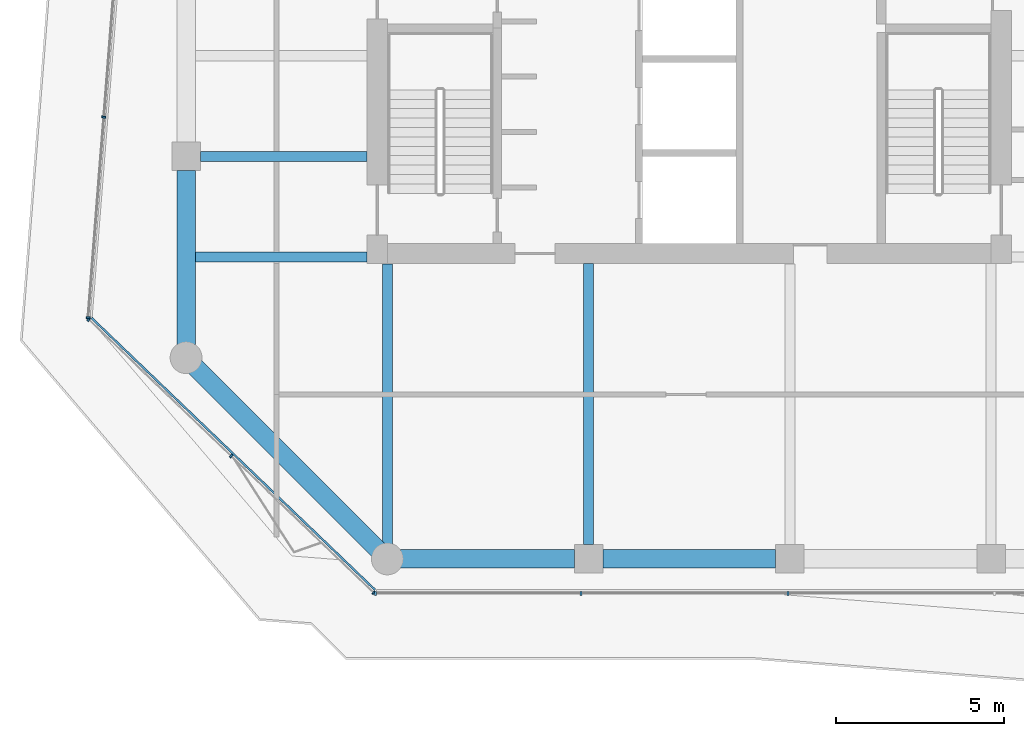
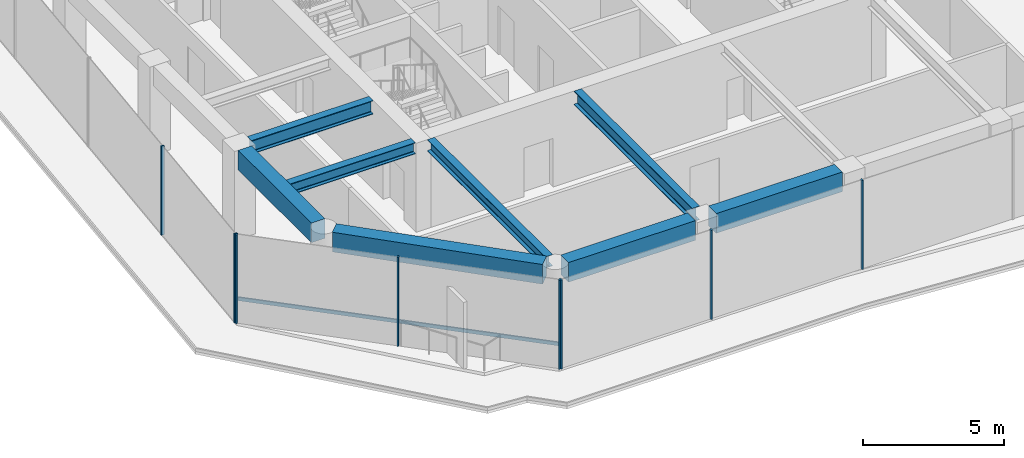
# One storey, part 2 of 22: 9 members, 8 beams, 3 elements without a shape of their own.
"""IFC4 building model written with IfcOpenShell, lengths in metres."""

from ifc_helpers import new_model, si_unit, direction, frame, origin, origin_2d, place, context, subcontext, project, spatial, rectangle, i_section, extrude, material, layer, layer_set, material_profile, profile_set, type_object, element, aggregate, save


model = new_model("IFC4")

# Units and contexts
model_context = context("Model", 3, precision=1e-05, world=origin(), true_north=direction((0.0, 1.0)))
body_context = subcontext(model_context, "Body", "Model", "MODEL_VIEW")
ifc_project = project(units=[si_unit("LENGTHUNIT", "METRE"), si_unit("AREAUNIT", "SQUARE_METRE"), si_unit("VOLUMEUNIT", "CUBIC_METRE"), si_unit("PLANEANGLEUNIT", "RADIAN"), si_unit("MASSUNIT", "GRAM", prefix="KILO")], contexts=[model_context])

# Site, building, storey
site_placement = place(None, origin())
site = spatial("IfcSite", under=ifc_project, at=site_placement, CompositionType="ELEMENT")
building_placement = place(site_placement, origin())
building = spatial("IfcBuilding", under=site, at=building_placement, Name="Welwitschia Terrace Campus", CompositionType="ELEMENT")
storey_placement = place(building_placement, frame((0.0, 0.0, 150.800048828125)))
storey = spatial("IfcBuildingStorey", under=building, at=storey_placement, Name="L33", CompositionType="ELEMENT", Elevation=150.800048828125)

# Beams
ifc_material_1 = material(Name="Steel S355", Category="steel")
ifc_material_profile_1 = material_profile(ifc_material_1, i_section(OverallWidth=0.300048828125, OverallDepth=0.489990234375, WebThickness=0.011962890625, FlangeThickness=0.02294921875, FilletRadius=0.027099609375, at=origin_2d()))
ifc_profile_set_1 = profile_set([ifc_material_profile_1], Name="Steel S355")
beam_type_1 = type_object("IfcBeamType", Name="Interior girder HE 500 A", PredefinedType="BEAM", material=ifc_profile_set_1)
beam_1_placement = place(storey_placement, frame((-0.010009765625, 5.0, 3.60498046875), z_axis=(1.0, 0.0, 0.0), x_axis=(0.0, 1.0, 0.0)))
element("IfcBeam", 1, at=beam_1_placement, inside=storey, type_object=beam_type_1, Name="Girder GB4", PredefinedType="BEAM", context=body_context, shape_type="SweptSolid", body=[
    extrude(i_section(OverallWidth=0.300048828125, OverallDepth=0.489990234375, WebThickness=0.011962890625, FlangeThickness=0.02294921875, FilletRadius=0.027099609375, at=origin_2d()), origin(), (0.0, 0.0, 1.0), 5.408935546875),
])
beam_2_placement = place(storey_placement, frame((6.0, -3.55859375, 3.60498046875), z_axis=(0.0, 1.0, 0.0), x_axis=(-1.0, 0.0, 0.0)))
element("IfcBeam", 2, at=beam_2_placement, inside=storey, type_object=beam_type_1, Name="Girder GB4", PredefinedType="BEAM", context=body_context, shape_type="SweptSolid", body=[
    extrude(i_section(OverallWidth=0.300048828125, OverallDepth=0.489990234375, WebThickness=0.011962890625, FlangeThickness=0.02294921875, FilletRadius=0.027099609375, at=origin_2d()), origin(), (0.0, 0.0, 1.0), 8.357666015625),
])

# Curtain wall, members
ifc_material_2 = material(Name="Bronze anodised aluminium", Category="aluminium")
ifc_layer = layer(ifc_material_2, 0.1201171875)
ifc_layer_set = layer_set([ifc_layer], Name="Bronze anodised aluminium")
curtain_wall_type = type_object("IfcCurtainWallType", Name="Curtain wall CW2 tower 6000", PredefinedType="NOTDEFINED", material=ifc_layer_set)
curtain_wall_1_placement = place(storey_placement, origin())
curtain_wall_1 = element("IfcCurtainWall", 3, at=curtain_wall_1_placement, inside=storey, type_object=curtain_wall_type, Name="CW L33.1.0", PredefinedType="NOTDEFINED")
ifc_material_3 = material(Name="Bronze anodised aluminium", Category="aluminium")
ifc_material_profile_2 = material_profile(ifc_material_3, rectangle(XDim=0.1201171875, YDim=0.06005859375, at=origin_2d()))
ifc_profile_set_2 = profile_set([ifc_material_profile_2], Name="Bronze anodised aluminium")
member_type_1 = type_object("IfcMemberType", Name="Mullion 60x120", PredefinedType="MULLION", material=ifc_profile_set_2)
member_1_placement = place(storey_placement, frame((-2.44921875, 9.17138671875, 0.0), z_axis=(0.0, 0.0, 1.0), x_axis=(0.996917333733, -0.078459095728, 0.0)))
member_1 = element("IfcMember", 4, at=member_1_placement, type_object=member_type_1, Name="Mullion L33.1.0.3", PredefinedType="MULLION", context=body_context, shape_type="SweptSolid", body=[
    extrude(rectangle(XDim=0.1201171875, YDim=0.06005859375, at=origin_2d()), origin(), (0.0, 0.0, 1.0), 3.849853515625),
])
member_2_placement = place(storey_placement, frame((-2.920166015625, 3.18994140625, 0.0), z_axis=(0.0, 0.0, 1.0), x_axis=(0.996917333733, -0.078459095728, 0.0)))
member_2 = element("IfcMember", 5, at=member_2_placement, type_object=member_type_1, Name="Mullion L33.1.0.4", PredefinedType="MULLION", context=body_context, shape_type="SweptSolid", body=[
    extrude(rectangle(XDim=0.1201171875, YDim=0.06005859375, at=origin_2d()), origin(), (0.0, 0.0, 1.0), 3.849853515625),
])
aggregate(curtain_wall_1, [member_1, member_2])

curtain_wall_2_placement = place(storey_placement, origin())
curtain_wall_2 = element("IfcCurtainWall", 6, at=curtain_wall_2_placement, inside=storey, type_object=curtain_wall_type, Name="CW L33.2.0", PredefinedType="NOTDEFINED")
member_3_placement = place(storey_placement, frame((-2.90087890625, 3.13916015625, 0.0), z_axis=(0.0, 0.0, 1.0), x_axis=(0.692282631155, 0.721626467504, 0.0)))
member_3 = element("IfcMember", 7, at=member_3_placement, type_object=member_type_1, Name="Mullion L33.2.0.0", PredefinedType="MULLION", context=body_context, shape_type="SweptSolid", body=[
    extrude(rectangle(XDim=0.1201171875, YDim=0.06005859375, at=origin_2d()), origin(), (0.0, 0.0, 1.0), 3.849853515625),
])
member_4_placement = place(storey_placement, frame((1.34619140625, -0.93505859375, 0.0), z_axis=(0.0, 0.0, 1.0), x_axis=(0.692282631155, 0.721626467504, 0.0)))
member_4 = element("IfcMember", 8, at=member_4_placement, type_object=member_type_1, Name="Mullion L33.2.0.1", PredefinedType="MULLION", context=body_context, shape_type="SweptSolid", body=[
    extrude(rectangle(XDim=0.1201171875, YDim=0.06005859375, at=origin_2d()), origin(), (0.0, 0.0, 1.0), 3.849853515625),
])
member_5_placement = place(storey_placement, frame((5.593017578125, -5.00927734375, 0.0), z_axis=(0.0, 0.0, 1.0), x_axis=(0.692282631155, 0.721626467504, 0.0)))
member_5 = element("IfcMember", 9, at=member_5_placement, type_object=member_type_1, Name="Mullion L33.2.0.2", PredefinedType="MULLION", context=body_context, shape_type="SweptSolid", body=[
    extrude(rectangle(XDim=0.1201171875, YDim=0.06005859375, at=origin_2d()), origin(), (0.0, 0.0, 1.0), 3.849853515625),
])

curtain_wall_3_placement = place(storey_placement, origin())
curtain_wall_3 = element("IfcCurtainWall", 10, at=curtain_wall_3_placement, inside=storey, type_object=curtain_wall_type, Name="CW L33.3.0", PredefinedType="NOTDEFINED")
member_6_placement = place(storey_placement, frame((5.64453125, -5.030029296875, 0.0), z_axis=(0.0, 0.0, 1.0), x_axis=(0.0, 1.0, 0.0)))
member_6 = element("IfcMember", 11, at=member_6_placement, type_object=member_type_1, Name="Mullion L33.3.0.0", PredefinedType="MULLION", context=body_context, shape_type="SweptSolid", body=[
    extrude(rectangle(XDim=0.1201171875, YDim=0.06005859375, at=origin_2d()), origin(), (0.0, 0.0, 1.0), 3.849853515625),
])
member_7_placement = place(storey_placement, frame((11.777099609375, -5.030029296875, 0.0), z_axis=(0.0, 0.0, 1.0), x_axis=(0.0, 1.0, 0.0)))
member_7 = element("IfcMember", 12, at=member_7_placement, type_object=member_type_1, Name="Mullion L33.3.0.1", PredefinedType="MULLION", context=body_context, shape_type="SweptSolid", body=[
    extrude(rectangle(XDim=0.1201171875, YDim=0.06005859375, at=origin_2d()), origin(), (0.0, 0.0, 1.0), 3.849853515625),
])
member_8_placement = place(storey_placement, frame((17.939453125, -5.030029296875, 0.0), z_axis=(0.0, 0.0, 1.0), x_axis=(0.0, 1.0, 0.0)))
member_8 = element("IfcMember", 13, at=member_8_placement, type_object=member_type_1, Name="Mullion L33.3.0.2", PredefinedType="MULLION", context=body_context, shape_type="SweptSolid", body=[
    extrude(rectangle(XDim=0.1201171875, YDim=0.06005859375, at=origin_2d()), origin(), (0.0, 0.0, 1.0), 3.849853515625),
])
aggregate(curtain_wall_3, [member_6, member_7, member_8])

# Beams
ifc_material_4 = material(Name="Steel S355", Category="steel")
ifc_material_profile_3 = material_profile(ifc_material_4, i_section(OverallWidth=0.300048828125, OverallDepth=0.590087890625, WebThickness=0.012939453125, FlangeThickness=0.02490234375, FilletRadius=0.027099609375, at=origin_2d()))
ifc_profile_set_3 = profile_set([ifc_material_profile_3], Name="Steel S355")
beam_type_2 = type_object("IfcBeamType", Name="Primary beam HE 600 A", PredefinedType="BEAM", material=ifc_profile_set_3)
beam_3_placement = place(storey_placement, frame((12.0, -3.574462890625, 3.554931640625), z_axis=(0.0, 1.0, 0.0), x_axis=(-1.0, 0.0, 0.0)))
element("IfcBeam", 14, at=beam_3_placement, inside=storey, type_object=beam_type_2, Name="Primary beam PB4", PredefinedType="BEAM", context=body_context, shape_type="SweptSolid", body=[
    extrude(i_section(OverallWidth=0.300048828125, OverallDepth=0.590087890625, WebThickness=0.012939453125, FlangeThickness=0.02490234375, FilletRadius=0.027099609375, at=origin_2d()), origin(), (0.0, 0.0, 1.0), 8.37451171875),
])
beam_4_placement = place(storey_placement, frame((0.425537109375, 8.0, 3.554931640625), z_axis=(1.0, 0.0, 0.0), x_axis=(0.0, 1.0, 0.0)))
element("IfcBeam", 15, at=beam_4_placement, inside=storey, type_object=beam_type_2, Name="Primary beam PB4", PredefinedType="BEAM", context=body_context, shape_type="SweptSolid", body=[
    extrude(i_section(OverallWidth=0.300048828125, OverallDepth=0.590087890625, WebThickness=0.012939453125, FlangeThickness=0.02490234375, FilletRadius=0.027099609375, at=origin_2d()), origin(), (0.0, 0.0, 1.0), 4.974365234375),
])
ifc_material_5 = material(Name="Concrete C50/60", Category="concrete")
ifc_material_profile_4 = material_profile(ifc_material_5, rectangle(XDim=0.550048828125, YDim=0.85009765625, at=origin_2d()))
ifc_profile_set_4 = profile_set([ifc_material_profile_4], Name="Concrete C50/60")
beam_type_3 = type_object("IfcBeamType", Name="Ring spandrel 550x850", PredefinedType="SPANDREL", material=ifc_profile_set_4)
beam_5_placement = place(storey_placement, frame((0.2744140625, 1.7255859375, 3.425048828125), z_axis=(0.707106781187, -0.707106781187, 0.0), x_axis=(0.707106781187, 0.707106781187, 0.0)))
element("IfcBeam", 16, at=beam_5_placement, inside=storey, type_object=beam_type_3, Name="Spandrel SP3", PredefinedType="SPANDREL", context=body_context, shape_type="SweptSolid", body=[
    extrude(rectangle(XDim=0.550048828125, YDim=0.85009765625, at=origin_2d()), origin(), (0.0, 0.0, 1.0), 7.709228515625),
])
beam_6_placement = place(storey_placement, frame((6.387939453125, -4.0, 3.425048828125), z_axis=(1.0, 0.0, 0.0), x_axis=(0.0, 1.0, 0.0)))
element("IfcBeam", 17, at=beam_6_placement, inside=storey, type_object=beam_type_3, Name="Spandrel SP3", PredefinedType="SPANDREL", context=body_context, shape_type="SweptSolid", body=[
    extrude(rectangle(XDim=0.550048828125, YDim=0.85009765625, at=origin_2d()), origin(), (0.0, 0.0, 1.0), 5.1865234375),
])
beam_7_placement = place(storey_placement, frame((12.425537109375, -4.0, 3.425048828125), z_axis=(1.0, 0.0, 0.0), x_axis=(0.0, 1.0, 0.0)))
element("IfcBeam", 18, at=beam_7_placement, inside=storey, type_object=beam_type_3, Name="Spandrel SP3", PredefinedType="SPANDREL", context=body_context, shape_type="SweptSolid", body=[
    extrude(rectangle(XDim=0.550048828125, YDim=0.85009765625, at=origin_2d()), origin(), (0.0, 0.0, 1.0), 5.14892578125),
])
beam_8_placement = place(storey_placement, frame((0.0, 7.574462890625, 3.425048828125), z_axis=(0.0, -1.0, 0.0), x_axis=(1.0, 0.0, 0.0)))
element("IfcBeam", 19, at=beam_8_placement, inside=storey, type_object=beam_type_3, Name="Spandrel SP3", PredefinedType="SPANDREL", context=body_context, shape_type="SweptSolid", body=[
    extrude(rectangle(XDim=0.550048828125, YDim=0.85009765625, at=origin_2d()), origin(), (0.0, 0.0, 1.0), 5.1865234375),
])

# Member
ifc_material_6 = material(Name="Bronze anodised aluminium", Category="aluminium")
ifc_material_profile_5 = material_profile(ifc_material_6, rectangle(XDim=0.06005859375, YDim=0.14990234375, at=origin_2d()))
ifc_profile_set_5 = profile_set([ifc_material_profile_5], Name="Bronze anodised aluminium")
member_type_2 = type_object("IfcMemberType", Name="Transom 60x150", PredefinedType="USERDEFINED", material=ifc_profile_set_5)
member_9_placement = place(storey_placement, frame((-2.81689453125, 3.183349609375, 1.0), z_axis=(0.721621419321, -0.692287893276, 0.0), x_axis=(0.692287893276, 0.721621419321, 0.0)))
member_9 = element("IfcMember", 20, at=member_9_placement, type_object=member_type_2, Name="Transom L33.2.0", ObjectType="TRANSOM", PredefinedType="USERDEFINED", context=body_context, shape_type="SweptSolid", body=[
    extrude(rectangle(XDim=0.06005859375, YDim=0.14990234375, at=origin_2d()), origin(), (0.0, 0.0, 1.0), 11.71044921875),
])

aggregate(curtain_wall_2, [member_3, member_4, member_5, member_9])

save(model, "model.ifc")
